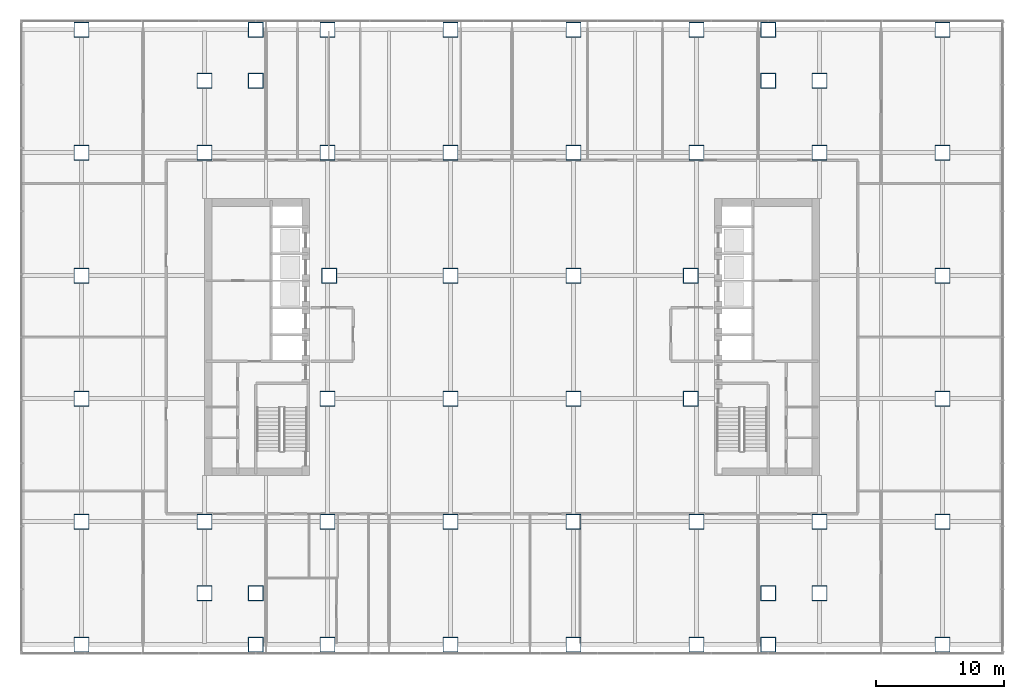
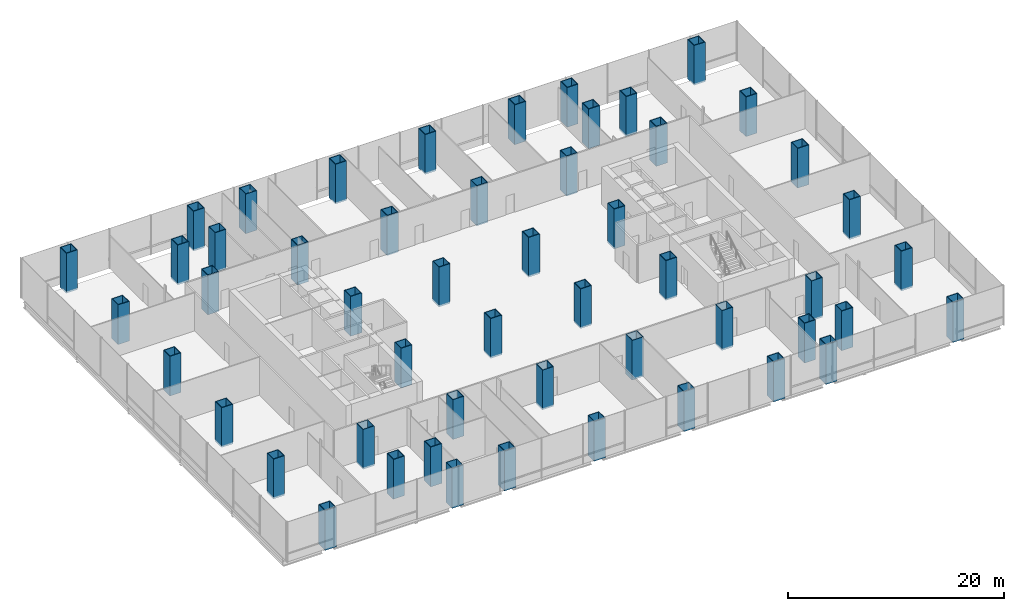
# One storey, part 1 of 23: 52 columns.
"""IFC4 building model written with IfcOpenShell, lengths in metres."""

from ifc_helpers import new_model, si_unit, direction, frame, origin, origin_2d, place, context, subcontext, project, spatial, hollow_rectangle, extrude, material, material_profile, profile_set, type_object, element, save


model = new_model("IFC4")

# Units and contexts
model_context = context("Model", 3, precision=1e-05, world=origin(), true_north=direction((0.0, 1.0)))
body_context = subcontext(model_context, "Body", "Model", "MODEL_VIEW")
ifc_project = project(units=[si_unit("LENGTHUNIT", "METRE"), si_unit("AREAUNIT", "SQUARE_METRE"), si_unit("VOLUMEUNIT", "CUBIC_METRE"), si_unit("PLANEANGLEUNIT", "RADIAN"), si_unit("MASSUNIT", "GRAM", prefix="KILO")], contexts=[model_context])

# Site, building, storey
site_placement = place(None, origin())
site = spatial("IfcSite", under=ifc_project, at=site_placement, CompositionType="ELEMENT")
building_placement = place(site_placement, origin())
building = spatial("IfcBuilding", under=site, at=building_placement, Name="Cobrizo Arcos Hotel Tower", CompositionType="ELEMENT")
storey_placement = place(building_placement, frame((0.0, 0.0, 20.0)))
storey = spatial("IfcBuildingStorey", under=building, at=storey_placement, Name="L03", CompositionType="ELEMENT", Elevation=20.0)

# Columns
ifc_material = material(Name="Steel ASTM A572 Grade 50", Category="steel")
ifc_material_profile_1 = material_profile(ifc_material, hollow_rectangle(XDim=1.199951171875, YDim=1.199951171875, WallThickness=0.070068359375, at=origin_2d()), Name="BOX 1200X1200X70")
ifc_profile_set_1 = profile_set([ifc_material_profile_1], Name="Steel ASTM A572 Grade 50")
column_type_1 = type_object("IfcColumnType", Name="BOX 1200X1200X70 column", PredefinedType="COLUMN", material=ifc_profile_set_1)
for number, where, z_axis, x_axis, name in (
    (1, (-33.60009765625, -24.0, -0.199951171875), (0.0, 0.0, 1.0), (1.0, 0.0, 0.0), "Perimeter column C1, L03, no. 00"),
    (2, (-33.60009765625, -14.39990234375, -0.199951171875), (0.0, 0.0, 1.0), (1.0, 0.0, 0.0), "Perimeter column C1, L03, no. 01"),
    (3, (-33.60009765625, -4.800048828125, -0.199951171875), (0.0, 0.0, 1.0), (1.0, 0.0, 0.0), "Perimeter column C1, L03, no. 02"),
    (4, (-33.60009765625, 4.800048828125, -0.199951171875), (0.0, 0.0, 1.0), (1.0, 0.0, 0.0), "Perimeter column C1, L03, no. 03"),
    (5, (-33.60009765625, 14.39990234375, -0.199951171875), (0.0, 0.0, 1.0), (1.0, 0.0, 0.0), "Perimeter column C1, L03, no. 04"),
    (6, (-33.60009765625, 24.0, -0.199951171875), (0.0, 0.0, 1.0), (1.0, 0.0, 0.0), "Perimeter column C1, L03, no. 05"),
    (7, (-20.0, -24.0, -0.199951171875), (0.0, 0.0, 1.0), (1.0, 0.0, 0.0), "Perimeter column C1, L03, no. 06"),
    (8, (-20.0, 24.0, -0.199951171875), (0.0, 0.0, 1.0), (1.0, 0.0, 0.0), "Perimeter column C1, L03, no. 07"),
    (9, (-14.39990234375, -24.0, -0.199951171875), (0.0, 0.0, 1.0), (1.0, 0.0, 0.0), "Perimeter column C1, L03, no. 08"),
    (10, (-14.39990234375, 24.0, -0.199951171875), (0.0, 0.0, 1.0), (1.0, 0.0, 0.0), "Perimeter column C1, L03, no. 09"),
    (11, (-4.800048828125, -24.0, -0.199951171875), (0.0, 0.0, 1.0), (1.0, 0.0, 0.0), "Perimeter column C1, L03, no. 10"),
    (12, (-4.800048828125, 24.0, -0.199951171875), (0.0, 0.0, 1.0), (1.0, 0.0, 0.0), "Perimeter column C1, L03, no. 11"),
    (13, (4.800048828125, -24.0, -0.199951171875), (0.0, 0.0, 1.0), (1.0, 0.0, 0.0), "Perimeter column C1, L03, no. 12"),
    (14, (4.800048828125, 24.0, -0.199951171875), (0.0, 0.0, 1.0), (1.0, 0.0, 0.0), "Perimeter column C1, L03, no. 13"),
    (15, (14.39990234375, -24.0, -0.199951171875), (0.0, 0.0, 1.0), (1.0, 0.0, 0.0), "Perimeter column C1, L03, no. 14"),
    (16, (14.39990234375, 24.0, -0.199951171875), (0.0, 0.0, 1.0), (1.0, 0.0, 0.0), "Perimeter column C1, L03, no. 15"),
    (17, (20.0, -24.0, -0.199951171875), (0.0, 0.0, 1.0), (1.0, 0.0, 0.0), "Perimeter column C1, L03, no. 16"),
    (18, (20.0, 24.0, -0.199951171875), (0.0, 0.0, 1.0), (1.0, 0.0, 0.0), "Perimeter column C1, L03, no. 17"),
    (19, (33.60009765625, -24.0, -0.199951171875), (0.0, 0.0, 1.0), (1.0, 0.0, 0.0), "Perimeter column C1, L03, no. 18"),
    (20, (33.60009765625, -14.39990234375, -0.199951171875), (0.0, 0.0, 1.0), (1.0, 0.0, 0.0), "Perimeter column C1, L03, no. 19"),
    (21, (33.60009765625, -4.800048828125, -0.199951171875), (0.0, 0.0, 1.0), (1.0, 0.0, 0.0), "Perimeter column C1, L03, no. 20"),
    (22, (33.60009765625, 4.800048828125, -0.199951171875), (0.0, 0.0, 1.0), (1.0, 0.0, 0.0), "Perimeter column C1, L03, no. 21"),
    (23, (33.60009765625, 14.39990234375, -0.199951171875), (0.0, 0.0, 1.0), (1.0, 0.0, 0.0), "Perimeter column C1, L03, no. 22"),
    (24, (33.60009765625, 24.0, -0.199951171875), (0.0, 0.0, 1.0), (1.0, 0.0, 0.0), "Perimeter column C1, L03, no. 23"),
):
    element("IfcColumn", number, at=place(storey_placement, frame(where, z_axis=z_axis, x_axis=x_axis)), inside=storey, type_object=column_type_1, Name=name, PredefinedType="COLUMN", context=body_context, shape_type="SweptSolid", body=[
        extrude(hollow_rectangle(XDim=1.199951171875, YDim=1.199951171875, WallThickness=0.070068359375, at=origin_2d()), origin(), (0.0, 0.0, 1.0), 4.5),
    ])
ifc_material_profile_2 = material_profile(ifc_material, hollow_rectangle(XDim=1.199951171875, YDim=1.199951171875, WallThickness=0.070068359375, at=origin_2d()), Name="BOX 1200X1200X70")
ifc_profile_set_2 = profile_set([ifc_material_profile_2], Name="Steel ASTM A572 Grade 50")
column_type_2 = type_object("IfcColumnType", Name="BOX 1200X1200X70 interior column", PredefinedType="COLUMN", material=ifc_profile_set_2)
for number, where, z_axis, x_axis, name in (
    (25, (-24.0, -20.0, -0.199951171875), (0.0, 0.0, 1.0), (1.0, 0.0, 0.0), "Interior column C2, L03, no. 00"),
    (26, (-24.0, -14.39990234375, -0.199951171875), (0.0, 0.0, 1.0), (1.0, 0.0, 0.0), "Interior column C2, L03, no. 01"),
    (27, (-24.0, 14.39990234375, -0.199951171875), (0.0, 0.0, 1.0), (1.0, 0.0, 0.0), "Interior column C2, L03, no. 02"),
    (28, (-24.0, 20.0, -0.199951171875), (0.0, 0.0, 1.0), (1.0, 0.0, 0.0), "Interior column C2, L03, no. 03"),
    (29, (-20.0, -20.0, -0.199951171875), (0.0, 0.0, 1.0), (1.0, 0.0, 0.0), "Interior column C2, L03, no. 04"),
    (30, (-20.0, 20.0, -0.199951171875), (0.0, 0.0, 1.0), (1.0, 0.0, 0.0), "Interior column C2, L03, no. 05"),
    (31, (-14.39990234375, -14.39990234375, -0.199951171875), (0.0, 0.0, 1.0), (1.0, 0.0, 0.0), "Interior column C2, L03, no. 06"),
    (32, (-14.39990234375, -4.800048828125, -0.199951171875), (0.0, 0.0, 1.0), (1.0, 0.0, 0.0), "Interior column C2, L03, no. 07"),
    (33, (-14.25, 4.800048828125, -0.199951171875), (0.0, 0.0, 1.0), (1.0, 0.0, 0.0), "Interior column C2, L03, no. 08"),
    (34, (-14.39990234375, 14.39990234375, -0.199951171875), (0.0, 0.0, 1.0), (1.0, 0.0, 0.0), "Interior column C2, L03, no. 09"),
    (35, (-4.800048828125, -14.39990234375, -0.199951171875), (0.0, 0.0, 1.0), (1.0, 0.0, 0.0), "Interior column C2, L03, no. 10"),
    (36, (-4.800048828125, -4.800048828125, -0.199951171875), (0.0, 0.0, 1.0), (1.0, 0.0, 0.0), "Interior column C2, L03, no. 11"),
    (37, (-4.800048828125, 4.800048828125, -0.199951171875), (0.0, 0.0, 1.0), (1.0, 0.0, 0.0), "Interior column C2, L03, no. 12"),
    (38, (-4.800048828125, 14.39990234375, -0.199951171875), (0.0, 0.0, 1.0), (1.0, 0.0, 0.0), "Interior column C2, L03, no. 13"),
    (39, (4.800048828125, -14.39990234375, -0.199951171875), (0.0, 0.0, 1.0), (1.0, 0.0, 0.0), "Interior column C2, L03, no. 14"),
    (40, (4.800048828125, -4.800048828125, -0.199951171875), (0.0, 0.0, 1.0), (1.0, 0.0, 0.0), "Interior column C2, L03, no. 15"),
    (41, (4.800048828125, 4.800048828125, -0.199951171875), (0.0, 0.0, 1.0), (1.0, 0.0, 0.0), "Interior column C2, L03, no. 16"),
    (42, (4.800048828125, 14.39990234375, -0.199951171875), (0.0, 0.0, 1.0), (1.0, 0.0, 0.0), "Interior column C2, L03, no. 17"),
    (43, (14.39990234375, -14.39990234375, -0.199951171875), (0.0, 0.0, 1.0), (1.0, 0.0, 0.0), "Interior column C2, L03, no. 18"),
    (44, (13.93994140625, -4.800048828125, -0.199951171875), (0.0, 0.0, 1.0), (1.0, 0.0, 0.0), "Interior column C2, L03, no. 19"),
    (45, (13.93994140625, 4.800048828125, -0.199951171875), (0.0, 0.0, 1.0), (1.0, 0.0, 0.0), "Interior column C2, L03, no. 20"),
    (46, (14.39990234375, 14.39990234375, -0.199951171875), (0.0, 0.0, 1.0), (1.0, 0.0, 0.0), "Interior column C2, L03, no. 21"),
    (47, (20.0, -20.0, -0.199951171875), (0.0, 0.0, 1.0), (1.0, 0.0, 0.0), "Interior column C2, L03, no. 22"),
    (48, (20.0, 20.0, -0.199951171875), (0.0, 0.0, 1.0), (1.0, 0.0, 0.0), "Interior column C2, L03, no. 23"),
    (49, (24.0, -20.0, -0.199951171875), (0.0, 0.0, 1.0), (1.0, 0.0, 0.0), "Interior column C2, L03, no. 24"),
    (50, (24.0, -14.39990234375, -0.199951171875), (0.0, 0.0, 1.0), (1.0, 0.0, 0.0), "Interior column C2, L03, no. 25"),
    (51, (24.0, 14.39990234375, -0.199951171875), (0.0, 0.0, 1.0), (1.0, 0.0, 0.0), "Interior column C2, L03, no. 26"),
    (52, (24.0, 20.0, -0.199951171875), (0.0, 0.0, 1.0), (1.0, 0.0, 0.0), "Interior column C2, L03, no. 27"),
):
    element("IfcColumn", number, at=place(storey_placement, frame(where, z_axis=z_axis, x_axis=x_axis)), inside=storey, type_object=column_type_2, Name=name, PredefinedType="COLUMN", context=body_context, shape_type="SweptSolid", body=[
        extrude(hollow_rectangle(XDim=1.199951171875, YDim=1.199951171875, WallThickness=0.070068359375, at=origin_2d()), origin(), (0.0, 0.0, 1.0), 4.5),
    ])

save(model, "model.ifc")
